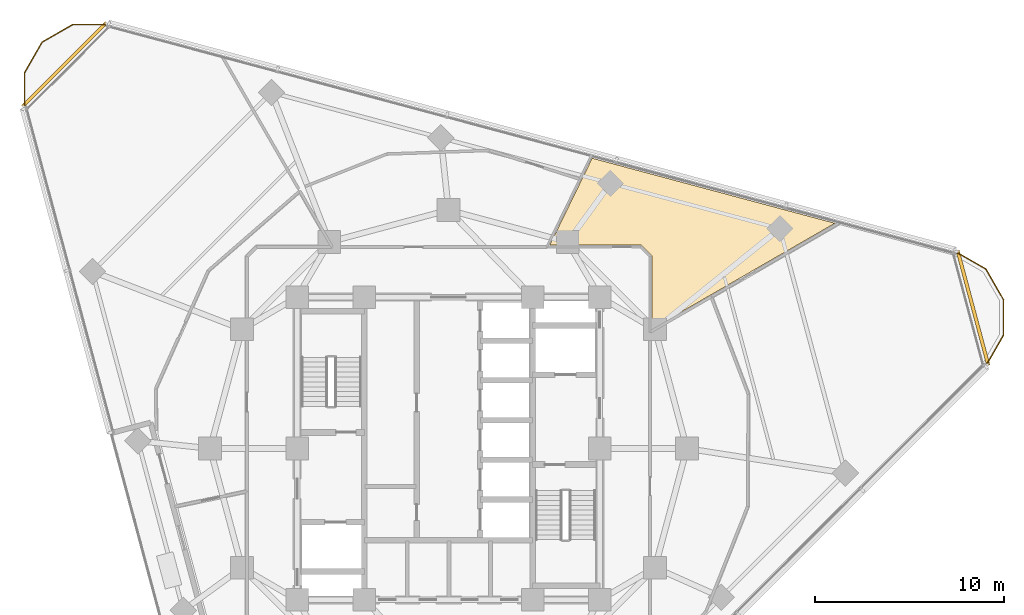
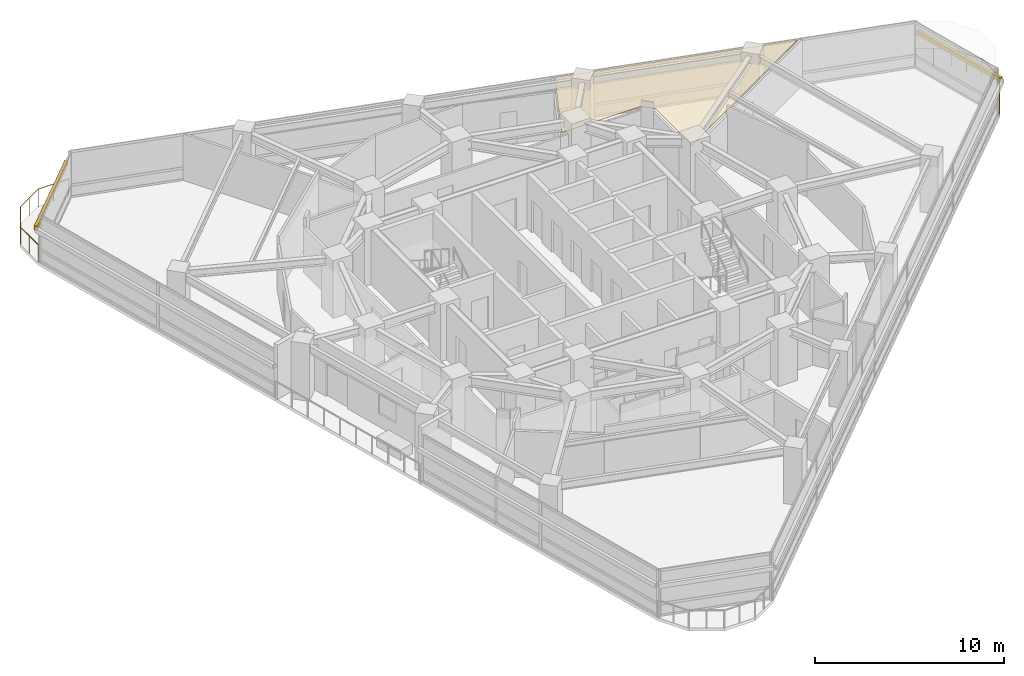
# One storey, part 14 of 14: 2 railings, 2 shading devices, 1 covering.
"""IFC4 building model written with IfcOpenShell, lengths in metres."""

from ifc_helpers import new_model, si_unit, direction, frame, origin, origin_2d, place, context, subcontext, project, spatial, polyline, rectangle, circle, outline, extrude, material, layer, layer_set, type_object, element, save


model = new_model("IFC4")

# Units and contexts
model_context = context("Model", 3, precision=1e-05, world=origin(), true_north=direction((0.0, 1.0)))
body_context = subcontext(model_context, "Body", "Model", "MODEL_VIEW")
ifc_project = project(units=[si_unit("LENGTHUNIT", "METRE"), si_unit("AREAUNIT", "SQUARE_METRE"), si_unit("VOLUMEUNIT", "CUBIC_METRE"), si_unit("PLANEANGLEUNIT", "RADIAN"), si_unit("MASSUNIT", "GRAM", prefix="KILO")], contexts=[model_context])

# Site, building, storey
site_placement = place(None, origin())
site = spatial("IfcSite", under=ifc_project, at=site_placement, CompositionType="ELEMENT")
building_placement = place(site_placement, origin())
building = spatial("IfcBuilding", under=site, at=building_placement, Name="Terralouvre Media Tower", CompositionType="ELEMENT")
storey_placement = place(building_placement, frame((0.0, 0.0, 206.39990234375)))
storey = spatial("IfcBuildingStorey", under=building, at=storey_placement, Name="L53", CompositionType="ELEMENT", Elevation=206.39990234375)

# Covering
ifc_material_1 = material(Name="Perforated aluminium acoustic ceiling baffle", Category="aluminium")
ifc_layer_1 = layer(ifc_material_1, 0.0400390625, Name="Perforated Acoustic Metal Tile Ceiling CL-AC1")
ifc_layer_set_1 = layer_set([ifc_layer_1], Name="Perforated aluminium acoustic ceiling baffle")
covering_type = type_object("IfcCoveringType", Name="Perforated Acoustic Metal Tile Ceiling CL-AC1", PredefinedType="CEILING", material=ifc_layer_set_1)
covering_placement = place(storey_placement, frame((0.0, 0.0, 2.97998046875), z_axis=(0.0, 0.0, 1.0), x_axis=(0.707106781187, 0.707106781187, 0.0)))
element("IfcCovering", 1, at=covering_placement, inside=storey, type_object=covering_type, Name="L53 Storyboarding Conference Room 7 Acoustic Ceiling", PredefinedType="CEILING", context=body_context, shape_type="SweptSolid", body=[
    extrude(outline(polyline([(11.38720703125, 3.8154296875), (14.778564453125, 0.42431640625), (14.78515625, 0.4169921875), (14.791015625, 0.4091796875), (14.7958984375, 0.400634765625), (14.80029296875, 0.391845703125), (14.803466796875, 0.382568359375), (14.805908203125, 0.373046875), (14.807373046875, 0.36328125), (14.807861328125, 0.353515625), (14.807861328125, -0.353515625), (14.807373046875, -0.36328125), (14.805908203125, -0.373046875), (14.803466796875, -0.382568359375), (14.80029296875, -0.391845703125), (14.7958984375, -0.400634765625), (14.791015625, -0.4091796875), (14.78515625, -0.4169921875), (14.778564453125, -0.42431640625), (12.07177734375, -3.130859375), (15.506591796875, -4.052001953125), (22.85498046875, -6.020263671875), (16.216552734375, 5.4775390625), (15.00341796875, 5.060302734375), (11.38720703125, 3.8154296875)])), origin(), (0.0, 0.0, 1.0), 0.0400390625),
])

# Railings
ifc_material_2 = material(Name="Stainless steel 316 handrail and balustrade", Category="steel")
ifc_layer_2 = layer(ifc_material_2, 0.06005859375, Name="Roof Edge Safety Guardrail GR-ROOF1")
ifc_layer_set_2 = layer_set([ifc_layer_2], Name="Stainless steel 316 handrail and balustrade")
railing_type = type_object("IfcRailingType", Name="Roof Edge Safety Guardrail GR-ROOF1", PredefinedType="GUARDRAIL", material=ifc_layer_set_2)
railing_1_placement = place(storey_placement, frame((28.39892578125, 4.365478515625, 0.0)))
element("IfcRailing", 2, at=railing_1_placement, inside=storey, type_object=railing_type, Name="L53 Wind-Corner Perimeter Safety Guardrail C1", PredefinedType="GUARDRAIL", context=body_context, shape_type="SweptSolid", body=[
    extrude(circle(Radius=0.02099609375, at=origin_2d()), frame((0.0, 0.0, 1.12890625), z_axis=(0.500203770141, 0.86590772507, 0.0), x_axis=(-0.86590772507, 0.500203770141, 0.0)), (0.0, 0.0, 1.0), 1.873291015625),
    extrude(circle(Radius=0.02099609375, at=origin_2d()), frame((0.93701171875, 1.6220703125, 1.12890625), z_axis=(0.000130344107, 0.999999991505, 0.0), x_axis=(-0.999999991505, 0.000130344107, 0.0)), (0.0, 0.0, 1.0), 1.873046875),
    extrude(circle(Radius=0.02099609375, at=origin_2d()), frame((0.937255859375, 3.4951171875, 1.12890625), z_axis=(-0.500162491388, 0.86593156901, 0.0), x_axis=(-0.86593156901, -0.500162491388, 0.0)), (0.0, 0.0, 1.0), 1.873046875),
    extrude(circle(Radius=0.02099609375, at=origin_2d()), frame((0.00048828125, 5.116943359375, 1.12890625), z_axis=(-0.866142189219, 0.499797667116, 0.0), x_axis=(-0.499797667116, -0.866142189219, 0.0)), (0.0, 0.0, 1.0), 1.873291015625),
    extrude(circle(Radius=0.01904296875, at=origin_2d()), origin(), (0.0, 0.0, 1.0), 1.10791015625),
    extrude(circle(Radius=0.01904296875, at=origin_2d()), frame((0.468505859375, 0.81103515625, 0.0)), (0.0, 0.0, 1.0), 1.10791015625),
    extrude(circle(Radius=0.01904296875, at=origin_2d()), frame((0.93701171875, 1.6220703125, 0.0)), (0.0, 0.0, 1.0), 1.10791015625),
    extrude(circle(Radius=0.01904296875, at=origin_2d()), frame((0.93701171875, 2.55859375, 0.0)), (0.0, 0.0, 1.0), 1.10791015625),
    extrude(circle(Radius=0.01904296875, at=origin_2d()), frame((0.937255859375, 3.4951171875, 0.0)), (0.0, 0.0, 1.0), 1.10791015625),
    extrude(circle(Radius=0.01904296875, at=origin_2d()), frame((0.46875, 4.30615234375, 0.0)), (0.0, 0.0, 1.0), 1.10791015625),
    extrude(circle(Radius=0.01904296875, at=origin_2d()), frame((0.00048828125, 5.116943359375, 0.0)), (0.0, 0.0, 1.0), 1.10791015625),
    extrude(circle(Radius=0.01904296875, at=origin_2d()), frame((-0.810791015625, 5.5849609375, 0.0)), (0.0, 0.0, 1.0), 1.10791015625),
    extrude(circle(Radius=0.01904296875, at=origin_2d()), frame((-1.6220703125, 6.05322265625, 0.0)), (0.0, 0.0, 1.0), 1.10791015625),
])
railing_2_placement = place(storey_placement, frame((-17.97998046875, 22.411376953125, 0.0)))
element("IfcRailing", 3, at=railing_2_placement, inside=storey, type_object=railing_type, Name="L53 Wind-Corner Perimeter Safety Guardrail C2", PredefinedType="GUARDRAIL", context=body_context, shape_type="SweptSolid", body=[
    extrude(circle(Radius=0.02099609375, at=origin_2d()), frame((0.0, 0.0, 1.12890625), z_axis=(-0.99999996603, 0.000260654233, 0.0), x_axis=(-0.000260654233, -0.99999996603, 0.0)), (0.0, 0.0, 1.0), 1.873291015625),
    extrude(circle(Radius=0.02099609375, at=origin_2d()), frame((-1.873291015625, 0.00048828125, 1.12890625), z_axis=(-0.866109628736, -0.499854089722, 0.0), x_axis=(0.499854089722, -0.866109628736, 0.0)), (0.0, 0.0, 1.0), 1.873046875),
    extrude(circle(Radius=0.02099609375, at=origin_2d()), frame((-3.49560546875, -0.935791015625, 1.12890625), z_axis=(-0.499854089722, -0.866109628736, 0.0), x_axis=(0.866109628736, -0.499854089722, 0.0)), (0.0, 0.0, 1.0), 1.873046875),
    extrude(circle(Radius=0.02099609375, at=origin_2d()), frame((-4.431884765625, -2.55810546875, 1.12890625), z_axis=(0.000260654233, -0.99999996603, 0.0), x_axis=(0.99999996603, 0.000260654233, 0.0)), (0.0, 0.0, 1.0), 1.873291015625),
    extrude(circle(Radius=0.01904296875, at=origin_2d()), origin(), (0.0, 0.0, 1.0), 1.10791015625),
    extrude(circle(Radius=0.01904296875, at=origin_2d()), frame((-0.9365234375, 0.000244140625, 0.0)), (0.0, 0.0, 1.0), 1.10791015625),
    extrude(circle(Radius=0.01904296875, at=origin_2d()), frame((-1.873291015625, 0.00048828125, 0.0)), (0.0, 0.0, 1.0), 1.10791015625),
    extrude(circle(Radius=0.01904296875, at=origin_2d()), frame((-2.6845703125, -0.4677734375, 0.0)), (0.0, 0.0, 1.0), 1.10791015625),
    extrude(circle(Radius=0.01904296875, at=origin_2d()), frame((-3.49560546875, -0.935791015625, 0.0)), (0.0, 0.0, 1.0), 1.10791015625),
    extrude(circle(Radius=0.01904296875, at=origin_2d()), frame((-3.9638671875, -1.7470703125, 0.0)), (0.0, 0.0, 1.0), 1.10791015625),
    extrude(circle(Radius=0.01904296875, at=origin_2d()), frame((-4.431884765625, -2.55810546875, 0.0)), (0.0, 0.0, 1.0), 1.10791015625),
    extrude(circle(Radius=0.01904296875, at=origin_2d()), frame((-4.431640625, -3.49462890625, 0.0)), (0.0, 0.0, 1.0), 1.10791015625),
    extrude(circle(Radius=0.01904296875, at=origin_2d()), frame((-4.431396484375, -4.431396484375, 0.0)), (0.0, 0.0, 1.0), 1.10791015625),
])

# Shading devices
ifc_material_3 = material(Name="Extruded terracotta baguette sunshade louvres", Category="masonry")
shading_device_type = type_object("IfcShadingDeviceType", Name="Terracotta Baguette Sunshade Louvre Screen TB-LV1", PredefinedType="USERDEFINED", material=ifc_material_3)
for number, where, z_axis, x_axis, name in (
    (4, (27.71826171875, 7.427001953125, 2.02392578125), (0.0, 0.0, 1.0), (-0.258818728144, 0.965925911218, 0.0), "CW-L53-C1 Terracotta Baguette Sunshade Louvre"),
    (5, (-20.291015625, 20.291015625, 2.02392578125), (0.0, 0.0, 1.0), (-0.707106781187, -0.707106781187, 0.0), "CW-L53-C2 Terracotta Baguette Sunshade Louvre"),
):
    element("IfcShadingDevice", number, at=place(storey_placement, frame(where, z_axis=z_axis, x_axis=x_axis)), inside=storey, type_object=shading_device_type, Name=name, ObjectType="BAGUETTE", PredefinedType="USERDEFINED", context=body_context, shape_type="SweptSolid", body=[
        extrude(rectangle(XDim=6.27001953125, YDim=0.179931640625, at=origin_2d()), origin(), (0.0, 0.0, 1.0), 0.280029296875),
    ])

save(model, "model.ifc")
